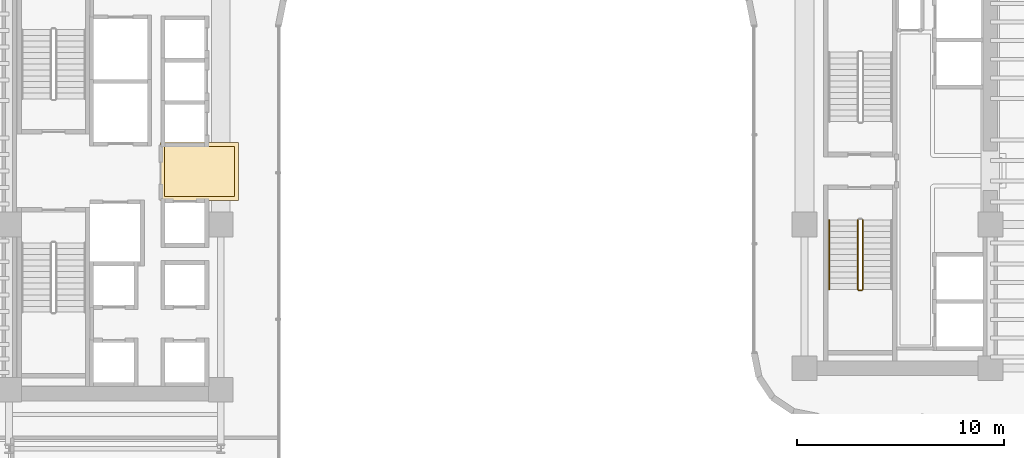
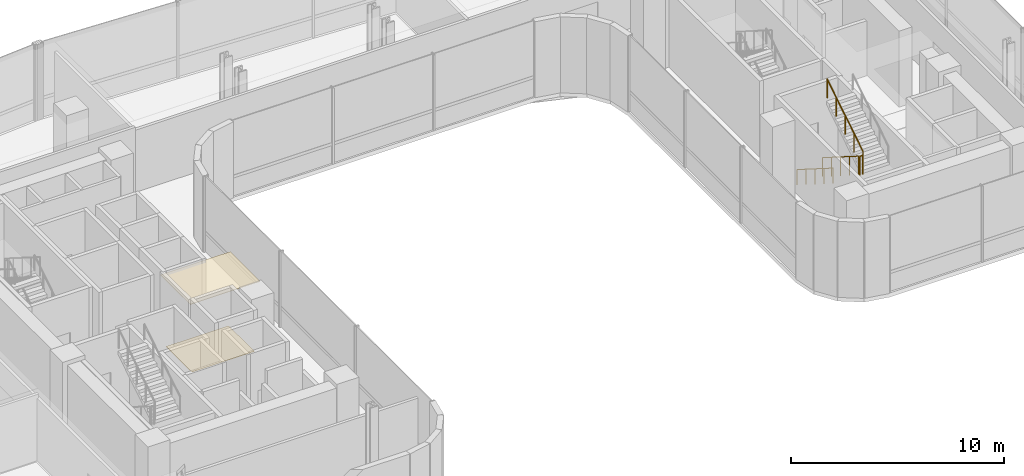
# One storey, part 30 of 32: 4 railings, 2 coverings.
"""IFC4 building model written with IfcOpenShell, lengths in metres."""

from ifc_helpers import new_model, si_unit, direction, frame, origin, origin_2d, place, context, subcontext, project, spatial, polyline, circle, outline, extrude, material, layer, layer_set, type_object, element, save


model = new_model("IFC4")

# Units and contexts
model_context = context("Model", 3, precision=1e-05, world=origin(), true_north=direction((0.0, 1.0)))
body_context = subcontext(model_context, "Body", "Model", "MODEL_VIEW")
ifc_project = project(units=[si_unit("LENGTHUNIT", "METRE"), si_unit("AREAUNIT", "SQUARE_METRE"), si_unit("VOLUMEUNIT", "CUBIC_METRE"), si_unit("PLANEANGLEUNIT", "RADIAN"), si_unit("MASSUNIT", "GRAM", prefix="KILO")], contexts=[model_context])

# Site, building, storey
site_placement = place(None, origin())
site = spatial("IfcSite", under=ifc_project, at=site_placement, CompositionType="ELEMENT")
building_placement = place(site_placement, origin())
building = spatial("IfcBuilding", under=site, at=building_placement, Name="Valdorenza Pilgrim Sanctuary Tower", CompositionType="ELEMENT")
storey_placement = place(building_placement, frame((0.0, 0.0, 101.10009765625)))
storey = spatial("IfcBuildingStorey", under=building, at=storey_placement, Name="L25", CompositionType="ELEMENT", Elevation=101.10009765625)

# Coverings
ifc_material_1 = material(Name="Micro-perforated acoustic mineral ceiling tile", Category="gypsum")
ifc_layer_1 = layer(ifc_material_1, 0.02490234375, Name="Micro-perforated acoustic mineral ceiling tile")
ifc_layer_set_1 = layer_set([ifc_layer_1], Name="Micro-perforated acoustic mineral ceiling tile")
covering_type_1 = type_object("IfcCoveringType", Name="COV-CLG-ACU", PredefinedType="CEILING", material=ifc_layer_set_1)
covering_1_placement = place(storey_placement, frame((0.0, 0.0, 4.059814453125)))
element("IfcCovering", 1, at=covering_1_placement, inside=storey, type_object=covering_type_1, Name="L25 Core A Passenger Lift Lobby Acoustic Ceiling", PredefinedType="CEILING", context=body_context, shape_type="SweptSolid", body=[
    extrude(outline(polyline([(-15.31298828125, 1.244384765625), (-15.31298828125, 1.24462890625), (-15.313720703125, 1.24609375), (-15.314208984375, 1.24755859375), (-15.314697265625, 1.2490234375), (-15.31494140625, 1.25048828125), (-15.31494140625, 1.251953125), (-15.31494140625, 1.35009765625), (-15.31494140625, 1.3515625), (-15.314697265625, 1.352783203125), (-15.314453125, 1.3544921875), (-15.31396484375, 1.355712890625), (-15.313232421875, 1.357177734375), (-15.3125, 1.3583984375), (-15.3115234375, 1.359619140625), (-15.310546875, 1.360595703125), (-15.3095703125, 1.361572265625), (-15.308349609375, 1.362548828125), (-15.30712890625, 1.36328125), (-15.3056640625, 1.364013671875), (-15.304443359375, 1.364501953125), (-15.302978515625, 1.36474609375), (-15.301513671875, 1.364990234375), (-15.300048828125, 1.364990234375), (-15.10205078125, 1.364990234375), (-15.1005859375, 1.364990234375), (-15.09912109375, 1.36474609375), (-15.097412109375, 1.3642578125), (-15.09619140625, 1.36376953125), (-15.0947265625, 1.363037109375), (-15.094482421875, 1.363037109375), (-13.185546875, 1.363037109375), (-13.185302734375, 1.363037109375), (-13.183837890625, 1.36376953125), (-13.1826171875, 1.3642578125), (-13.180908203125, 1.36474609375), (-13.179443359375, 1.364990234375), (-13.177978515625, 1.364990234375), (-11.550048828125, 1.364990234375), (-11.548583984375, 1.364990234375), (-11.547119140625, 1.36474609375), (-11.545654296875, 1.364501953125), (-11.544189453125, 1.364013671875), (-11.54296875, 1.36328125), (-11.541748046875, 1.362548828125), (-11.54052734375, 1.361572265625), (-11.539306640625, 1.360595703125), (-11.538330078125, 1.359619140625), (-11.53759765625, 1.3583984375), (-11.536865234375, 1.357177734375), (-11.5361328125, 1.355712890625), (-11.53564453125, 1.3544921875), (-11.535400390625, 1.352783203125), (-11.53515625, 1.3515625), (-11.534912109375, 1.35009765625), (-11.534912109375, -1.419921875), (-11.53515625, -1.42138671875), (-11.535400390625, -1.4228515625), (-11.53564453125, -1.42431640625), (-11.5361328125, -1.42578125), (-11.536865234375, -1.427001953125), (-11.53759765625, -1.42822265625), (-11.538330078125, -1.429443359375), (-11.539306640625, -1.4306640625), (-11.54052734375, -1.431640625), (-11.541748046875, -1.4326171875), (-11.54296875, -1.43310546875), (-11.544189453125, -1.433837890625), (-11.545654296875, -1.434326171875), (-11.547119140625, -1.434814453125), (-11.548583984375, -1.434814453125), (-11.550048828125, -1.43505859375), (-15.298095703125, -1.43505859375), (-15.299560546875, -1.434814453125), (-15.30078125, -1.434814453125), (-15.302490234375, -1.434326171875), (-15.3037109375, -1.433837890625), (-15.30517578125, -1.43310546875), (-15.306396484375, -1.4326171875), (-15.3076171875, -1.431640625), (-15.30859375, -1.4306640625), (-15.3095703125, -1.429443359375), (-15.310546875, -1.42822265625), (-15.311279296875, -1.427001953125), (-15.31201171875, -1.42578125), (-15.3125, -1.42431640625), (-15.312744140625, -1.4228515625), (-15.31298828125, -1.42138671875), (-15.31298828125, -1.419921875), (-15.31298828125, 1.244384765625)])), origin(), (0.0, 0.0, 1.0), 0.025146484375),
])
ifc_material_2 = material(Name="Honed travertine stone flooring", Category="masonry")
ifc_layer_2 = layer(ifc_material_2, 0.030029296875, Name="Honed travertine stone flooring")
ifc_layer_set_2 = layer_set([ifc_layer_2], Name="Honed travertine stone flooring")
covering_type_2 = type_object("IfcCoveringType", Name="COV-FLR-TRV", PredefinedType="FLOORING", material=ifc_layer_set_2)
covering_2_placement = place(storey_placement, origin())
element("IfcCovering", 2, at=covering_2_placement, inside=storey, type_object=covering_type_2, Name="L25 Core A Passenger Lift Lobby Flooring", PredefinedType="FLOORING", context=body_context, shape_type="SweptSolid", body=[
    extrude(outline(polyline([(-15.117919921875, 1.169189453125), (-15.10888671875, 1.168212890625), (-15.10888671875, 1.168212890625), (-15.10009765625, 1.16796875), (-13.179931640625, 1.16796875), (-13.1796875, 1.16796875), (-11.72998046875, 1.169921875), (-11.72998046875, -1.239990234375), (-15.117919921875, -1.239990234375), (-15.117919921875, 1.169189453125)])), origin(), (0.0, 0.0, 1.0), 0.02490234375),
])

# Railings
ifc_material_3 = material(Name="Stainless steel Grade 316", Category="steel")
railing_type_1 = type_object("IfcRailingType", Name="RLG-GRD-1120", PredefinedType="GUARDRAIL", material=ifc_material_3)
railing_1_placement = place(storey_placement, frame((18.429931640625, -2.3798828125, 0.1767578125)))
element("IfcRailing", 3, at=railing_1_placement, inside=storey, type_object=railing_type_1, Name="L25 ST-B2 stair guard 1", PredefinedType="GUARDRAIL", context=body_context, shape_type="SweptSolid", body=[
    extrude(circle(Radius=0.02392578125, at=origin_2d()), frame((0.0, 0.0, 1.076171875), z_axis=(0.0, -0.845389635667, 0.534150132366), x_axis=(1.0, 0.0, 0.0)), (0.0, 0.0, 1.0), 3.974609375),
    extrude(circle(Radius=0.02099609375, at=origin_2d()), origin(), (0.0, 0.0, 1.0), 1.052001953125),
    extrude(circle(Radius=0.02099609375, at=origin_2d()), frame((0.0, -0.840087890625, 0.53076171875)), (0.0, 0.0, 1.0), 1.052001953125),
    extrude(circle(Radius=0.02099609375, at=origin_2d()), frame((0.0, -1.68017578125, 1.0615234375)), (0.0, 0.0, 1.0), 1.052001953125),
    extrude(circle(Radius=0.02099609375, at=origin_2d()), frame((0.0, -2.52001953125, 1.59228515625)), (0.0, 0.0, 1.0), 1.052001953125),
    extrude(circle(Radius=0.02099609375, at=origin_2d()), frame((0.0, -3.360107421875, 2.123046875)), (0.0, 0.0, 1.0), 1.052001953125),
])
railing_2_placement = place(storey_placement, frame((18.47998046875, -5.7900390625, 2.2998046875)))
element("IfcRailing", 4, at=railing_2_placement, inside=storey, type_object=railing_type_1, Name="L25 ST-B2 stair guard 2", PredefinedType="GUARDRAIL", context=body_context, shape_type="SweptSolid", body=[
    extrude(circle(Radius=0.02392578125, at=origin_2d()), frame((0.0, 0.0, 1.076171875), z_axis=(1.0, 0.0, 0.0), x_axis=(0.0, 1.0, 0.0)), (0.0, 0.0, 1.0), 0.14990234375),
    extrude(circle(Radius=0.02099609375, at=origin_2d()), origin(), (0.0, 0.0, 1.0), 1.052001953125),
    extrude(circle(Radius=0.02099609375, at=origin_2d()), frame((0.14990234375, 0.0, 0.0)), (0.0, 0.0, 1.0), 1.052001953125),
])
railing_3_placement = place(storey_placement, frame((18.679931640625, -5.739990234375, 2.476806640625)))
element("IfcRailing", 5, at=railing_3_placement, inside=storey, type_object=railing_type_1, Name="L25 ST-B2 stair guard 3", PredefinedType="GUARDRAIL", context=body_context, shape_type="SweptSolid", body=[
    extrude(circle(Radius=0.02392578125, at=origin_2d()), frame((0.0, 0.0, 1.076171875), z_axis=(0.0, 0.845389635667, 0.534150132366), x_axis=(-1.0, 0.0, 0.0)), (0.0, 0.0, 1.0), 3.974609375),
    extrude(circle(Radius=0.02099609375, at=origin_2d()), origin(), (0.0, 0.0, 1.0), 1.052001953125),
    extrude(circle(Radius=0.02099609375, at=origin_2d()), frame((0.0, 0.840087890625, 0.53076171875)), (0.0, 0.0, 1.0), 1.052001953125),
    extrude(circle(Radius=0.02099609375, at=origin_2d()), frame((0.0, 1.68017578125, 1.0615234375)), (0.0, 0.0, 1.0), 1.052001953125),
    extrude(circle(Radius=0.02099609375, at=origin_2d()), frame((0.0, 2.52001953125, 1.59228515625)), (0.0, 0.0, 1.0), 1.052001953125),
    extrude(circle(Radius=0.02099609375, at=origin_2d()), frame((0.0, 3.360107421875, 2.123046875)), (0.0, 0.0, 1.0), 1.052001953125),
])
ifc_material_4 = material(Name="Brushed stainless steel Grade 316", Category="steel")
railing_type_2 = type_object("IfcRailingType", Name="RLG-HND-920", PredefinedType="HANDRAIL", material=ifc_material_4)
railing_4_placement = place(storey_placement, frame((17.050048828125, -2.3798828125, 0.1767578125)))
element("IfcRailing", 6, at=railing_4_placement, inside=storey, type_object=railing_type_2, Name="L25 ST-B2 stair handrail 1", PredefinedType="HANDRAIL", context=body_context, shape_type="SweptSolid", body=[
    extrude(circle(Radius=0.02392578125, at=origin_2d()), frame((0.0, 0.0, 0.8759765625), z_axis=(0.0, -0.845389635667, 0.534150132366), x_axis=(1.0, 0.0, 0.0)), (0.0, 0.0, 1.0), 3.974609375),
    extrude(circle(Radius=0.02099609375, at=origin_2d()), origin(), (0.0, 0.0, 1.0), 0.851806640625),
    extrude(circle(Radius=0.02099609375, at=origin_2d()), frame((0.0, -0.840087890625, 0.53076171875)), (0.0, 0.0, 1.0), 0.851806640625),
    extrude(circle(Radius=0.02099609375, at=origin_2d()), frame((0.0, -1.68017578125, 1.0615234375)), (0.0, 0.0, 1.0), 0.851806640625),
    extrude(circle(Radius=0.02099609375, at=origin_2d()), frame((0.0, -2.52001953125, 1.59228515625)), (0.0, 0.0, 1.0), 0.851806640625),
    extrude(circle(Radius=0.02099609375, at=origin_2d()), frame((0.0, -3.360107421875, 2.123046875)), (0.0, 0.0, 1.0), 0.851806640625),
])

save(model, "model.ifc")
